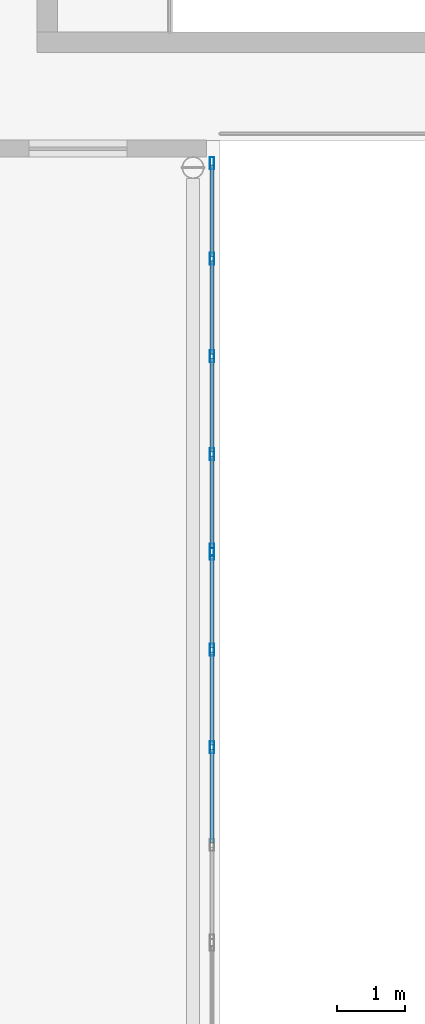
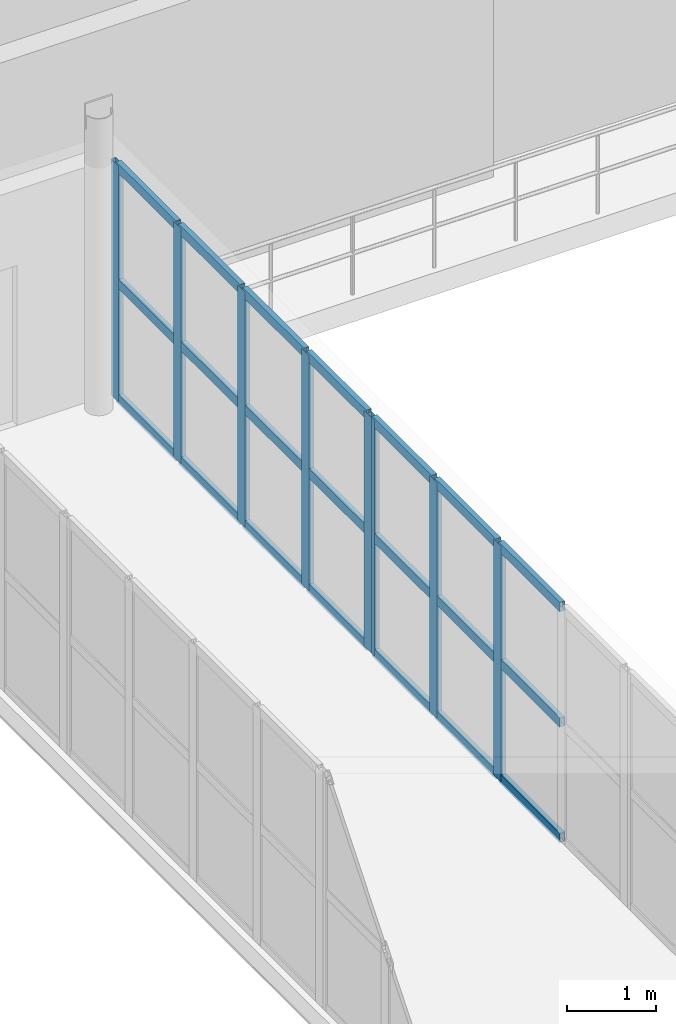
# One storey, part 34 of 52: 29 members, 2 elements without a shape of their own.
"""IFC4 building model written with IfcOpenShell, lengths in metres."""

from ifc_helpers import new_model, si_unit, direction, frame, origin, origin_2d, place, context, subcontext, project, spatial, hollow_rectangle, extrude, material, layer, layer_set, material_profile, profile_set, type_object, element, aggregate, save


model = new_model("IFC4")

# Units and contexts
model_context = context("Model", 3, precision=1e-05, world=origin(), true_north=direction((0.0, 1.0)))
body_context = subcontext(model_context, "Body", "Model", "MODEL_VIEW")
ifc_project = project(units=[si_unit("LENGTHUNIT", "METRE"), si_unit("AREAUNIT", "SQUARE_METRE"), si_unit("VOLUMEUNIT", "CUBIC_METRE"), si_unit("PLANEANGLEUNIT", "RADIAN"), si_unit("MASSUNIT", "GRAM", prefix="KILO")], contexts=[model_context])

# Site, building, storey
site_placement = place(None, origin())
site = spatial("IfcSite", under=ifc_project, at=site_placement, CompositionType="ELEMENT")
building_placement = place(site_placement, origin())
building = spatial("IfcBuilding", under=site, at=building_placement, Name="Valcora Specialist Clinic", CompositionType="ELEMENT")
storey_placement = place(building_placement, frame((0.0, 0.0, 17.679931640625)))
storey = spatial("IfcBuildingStorey", under=building, at=storey_placement, Name="L04", CompositionType="ELEMENT", Elevation=17.679931640625)

# Curtain wall, members
ifc_material = material(Name="Anodized Bronze Aluminium 6063-T6", Category="aluminium")
ifc_layer = layer(ifc_material, 0.175048828125)
ifc_layer_set = layer_set([ifc_layer], Name="Anodized Bronze Aluminium 6063-T6")
curtain_wall_type = type_object("IfcCurtainWallType", Name="TY-CW-BRG14", PredefinedType="NOTDEFINED", material=ifc_layer_set)
curtain_wall_1_placement = place(storey_placement, origin())
curtain_wall_1 = element("IfcCurtainWall", 1, at=curtain_wall_1_placement, inside=storey, type_object=curtain_wall_type, Name="Curtain wall CW-L04-283", PredefinedType="NOTDEFINED")
ifc_material_profile_1 = material_profile(ifc_material, hollow_rectangle(XDim=0.06494140625, YDim=0.175048828125, WallThickness=0.00390625, at=origin_2d()), Name="AL-MUL-65X175")
ifc_profile_set_1 = profile_set([ifc_material_profile_1], Name="Anodized Bronze Aluminium 6063-T6")
member_type_1 = type_object("IfcMemberType", Name="TY-CWM-65X175", PredefinedType="MULLION", material=ifc_profile_set_1)
member_1_placement = place(storey_placement, frame((65.280029296875, 65.050048828125, 0.0), z_axis=(0.0, 0.0, 1.0), x_axis=(-1.0, 0.0, 0.0)))
member_1 = element("IfcMember", 2, at=member_1_placement, type_object=member_type_1, Name="CW-BRG-14 mullion 3", PredefinedType="MULLION", context=body_context, shape_type="SweptSolid", body=[
    extrude(hollow_rectangle(XDim=0.06494140625, YDim=0.175048828125, WallThickness=0.00390625, at=origin_2d()), origin(), (0.0, 0.0, 1.0), 3.239990234375),
])
member_2_placement = place(storey_placement, frame((65.280029296875, 66.49169921875, 0.0), z_axis=(0.0, 0.0, 1.0), x_axis=(-1.0, 0.0, 0.0)))
member_2 = element("IfcMember", 3, at=member_2_placement, type_object=member_type_1, Name="CW-BRG-14 mullion 4", PredefinedType="MULLION", context=body_context, shape_type="SweptSolid", body=[
    extrude(hollow_rectangle(XDim=0.06494140625, YDim=0.175048828125, WallThickness=0.00390625, at=origin_2d()), origin(), (0.0, 0.0, 1.0), 3.239990234375),
])
member_3_placement = place(storey_placement, frame((65.280029296875, 67.90087890625, 0.0), z_axis=(0.0, 0.0, 1.0), x_axis=(-1.0, 0.0, 0.0)))
member_3 = element("IfcMember", 4, at=member_3_placement, type_object=member_type_1, Name="CW-BRG-14 mullion 5", PredefinedType="MULLION", context=body_context, shape_type="SweptSolid", body=[
    extrude(hollow_rectangle(XDim=0.06494140625, YDim=0.175048828125, WallThickness=0.00390625, at=origin_2d()), origin(), (0.0, 0.0, 1.0), 3.239990234375),
])

curtain_wall_2_placement = place(storey_placement, origin())
curtain_wall_2 = element("IfcCurtainWall", 5, at=curtain_wall_2_placement, inside=storey, type_object=curtain_wall_type, Name="Curtain wall CW-L04-284", PredefinedType="NOTDEFINED")
member_4_placement = place(storey_placement, frame((65.280029296875, 67.9658203125, 0.0), z_axis=(0.0, 0.0, 1.0), x_axis=(-1.0, 0.0, 0.0)))
member_4 = element("IfcMember", 6, at=member_4_placement, type_object=member_type_1, Name="CW-BRG-14 mullion 1", PredefinedType="MULLION", context=body_context, shape_type="SweptSolid", body=[
    extrude(hollow_rectangle(XDim=0.06494140625, YDim=0.175048828125, WallThickness=0.00390625, at=origin_2d()), origin(), (0.0, 0.0, 1.0), 3.239990234375),
])
member_5_placement = place(storey_placement, frame((65.280029296875, 69.375, 0.0), z_axis=(0.0, 0.0, 1.0), x_axis=(-1.0, 0.0, 0.0)))
member_5 = element("IfcMember", 7, at=member_5_placement, type_object=member_type_1, Name="CW-BRG-14 mullion 2", PredefinedType="MULLION", context=body_context, shape_type="SweptSolid", body=[
    extrude(hollow_rectangle(XDim=0.06494140625, YDim=0.175048828125, WallThickness=0.00390625, at=origin_2d()), origin(), (0.0, 0.0, 1.0), 3.239990234375),
])
member_6_placement = place(storey_placement, frame((65.280029296875, 70.816650390625, 0.0), z_axis=(0.0, 0.0, 1.0), x_axis=(-1.0, 0.0, 0.0)))
member_6 = element("IfcMember", 8, at=member_6_placement, type_object=member_type_1, Name="CW-BRG-14 mullion 3", PredefinedType="MULLION", context=body_context, shape_type="SweptSolid", body=[
    extrude(hollow_rectangle(XDim=0.06494140625, YDim=0.175048828125, WallThickness=0.00390625, at=origin_2d()), origin(), (0.0, 0.0, 1.0), 3.239990234375),
])
member_7_placement = place(storey_placement, frame((65.280029296875, 72.25830078125, 0.0), z_axis=(0.0, 0.0, 1.0), x_axis=(-1.0, 0.0, 0.0)))
member_7 = element("IfcMember", 9, at=member_7_placement, type_object=member_type_1, Name="CW-BRG-14 mullion 4", PredefinedType="MULLION", context=body_context, shape_type="SweptSolid", body=[
    extrude(hollow_rectangle(XDim=0.06494140625, YDim=0.175048828125, WallThickness=0.00390625, at=origin_2d()), origin(), (0.0, 0.0, 1.0), 3.239990234375),
])
member_8_placement = place(storey_placement, frame((65.280029296875, 73.66748046875, 0.0), z_axis=(0.0, 0.0, 1.0), x_axis=(-1.0, 0.0, 0.0)))
member_8 = element("IfcMember", 10, at=member_8_placement, type_object=member_type_1, Name="CW-BRG-14 mullion 5", PredefinedType="MULLION", context=body_context, shape_type="SweptSolid", body=[
    extrude(hollow_rectangle(XDim=0.06494140625, YDim=0.175048828125, WallThickness=0.00390625, at=origin_2d()), origin(), (0.0, 0.0, 1.0), 3.239990234375),
])

# Member
ifc_material_profile_2 = material_profile(ifc_material, hollow_rectangle(XDim=0.06494140625, YDim=0.1298828125, WallThickness=0.00390625, at=origin_2d()), Name="AL-TRN-65X130")
ifc_profile_set_2 = profile_set([ifc_material_profile_2], Name="Anodized Bronze Aluminium 6063-T6")
member_type_2 = type_object("IfcMemberType", Name="TY-CWT-65X130", PredefinedType="USERDEFINED", material=ifc_profile_set_2)
member_9_placement = place(storey_placement, frame((65.280029296875, 63.640869140625, 0.032470703125), z_axis=(0.0, 1.0, 0.0), x_axis=(-1.0, 0.0, 0.0)))
member_9 = element("IfcMember", 11, at=member_9_placement, type_object=member_type_2, Name="CW-BRG-14 transom 2.1", ObjectType="TRANSOM", PredefinedType="USERDEFINED", context=body_context, shape_type="SweptSolid", body=[
    extrude(hollow_rectangle(XDim=0.06494140625, YDim=0.1298828125, WallThickness=0.00390625, at=origin_2d()), origin(), (0.0, 0.0, 1.0), 1.376708984375),
])

member_10_placement = place(storey_placement, frame((65.280029296875, 63.640869140625, 1.6201171875), z_axis=(0.0, 1.0, 0.0), x_axis=(-1.0, 0.0, 0.0)))
member_10 = element("IfcMember", 12, at=member_10_placement, type_object=member_type_2, Name="CW-BRG-14 transom 2.2", ObjectType="TRANSOM", PredefinedType="USERDEFINED", context=body_context, shape_type="SweptSolid", body=[
    extrude(hollow_rectangle(XDim=0.06494140625, YDim=0.1298828125, WallThickness=0.00390625, at=origin_2d()), origin(), (0.0, 0.0, 1.0), 1.376708984375),
])

member_11_placement = place(storey_placement, frame((65.280029296875, 63.640869140625, 3.20751953125), z_axis=(0.0, 1.0, 0.0), x_axis=(-1.0, 0.0, 0.0)))
member_11 = element("IfcMember", 13, at=member_11_placement, type_object=member_type_2, Name="CW-BRG-14 transom 2.3", ObjectType="TRANSOM", PredefinedType="USERDEFINED", context=body_context, shape_type="SweptSolid", body=[
    extrude(hollow_rectangle(XDim=0.06494140625, YDim=0.1298828125, WallThickness=0.00390625, at=origin_2d()), origin(), (0.0, 0.0, 1.0), 1.376708984375),
])

member_12_placement = place(storey_placement, frame((65.280029296875, 65.08251953125, 0.032470703125), z_axis=(0.0, 1.0, 0.0), x_axis=(-1.0, 0.0, 0.0)))
member_12 = element("IfcMember", 14, at=member_12_placement, type_object=member_type_2, Name="CW-BRG-14 transom 3.1", ObjectType="TRANSOM", PredefinedType="USERDEFINED", context=body_context, shape_type="SweptSolid", body=[
    extrude(hollow_rectangle(XDim=0.06494140625, YDim=0.1298828125, WallThickness=0.00390625, at=origin_2d()), origin(), (0.0, 0.0, 1.0), 1.376708984375),
])

member_13_placement = place(storey_placement, frame((65.280029296875, 65.08251953125, 1.6201171875), z_axis=(0.0, 1.0, 0.0), x_axis=(-1.0, 0.0, 0.0)))
member_13 = element("IfcMember", 15, at=member_13_placement, type_object=member_type_2, Name="CW-BRG-14 transom 3.2", ObjectType="TRANSOM", PredefinedType="USERDEFINED", context=body_context, shape_type="SweptSolid", body=[
    extrude(hollow_rectangle(XDim=0.06494140625, YDim=0.1298828125, WallThickness=0.00390625, at=origin_2d()), origin(), (0.0, 0.0, 1.0), 1.376708984375),
])

member_14_placement = place(storey_placement, frame((65.280029296875, 65.08251953125, 3.20751953125), z_axis=(0.0, 1.0, 0.0), x_axis=(-1.0, 0.0, 0.0)))
member_14 = element("IfcMember", 16, at=member_14_placement, type_object=member_type_2, Name="CW-BRG-14 transom 3.3", ObjectType="TRANSOM", PredefinedType="USERDEFINED", context=body_context, shape_type="SweptSolid", body=[
    extrude(hollow_rectangle(XDim=0.06494140625, YDim=0.1298828125, WallThickness=0.00390625, at=origin_2d()), origin(), (0.0, 0.0, 1.0), 1.376708984375),
])

member_15_placement = place(storey_placement, frame((65.280029296875, 66.524169921875, 0.032470703125), z_axis=(0.0, 1.0, 0.0), x_axis=(-1.0, 0.0, 0.0)))
member_15 = element("IfcMember", 17, at=member_15_placement, type_object=member_type_2, Name="CW-BRG-14 transom 4.1", ObjectType="TRANSOM", PredefinedType="USERDEFINED", context=body_context, shape_type="SweptSolid", body=[
    extrude(hollow_rectangle(XDim=0.06494140625, YDim=0.1298828125, WallThickness=0.00390625, at=origin_2d()), origin(), (0.0, 0.0, 1.0), 1.34423828125),
])

member_16_placement = place(storey_placement, frame((65.280029296875, 66.524169921875, 1.6201171875), z_axis=(0.0, 1.0, 0.0), x_axis=(-1.0, 0.0, 0.0)))
member_16 = element("IfcMember", 18, at=member_16_placement, type_object=member_type_2, Name="CW-BRG-14 transom 4.2", ObjectType="TRANSOM", PredefinedType="USERDEFINED", context=body_context, shape_type="SweptSolid", body=[
    extrude(hollow_rectangle(XDim=0.06494140625, YDim=0.1298828125, WallThickness=0.00390625, at=origin_2d()), origin(), (0.0, 0.0, 1.0), 1.34423828125),
])

member_17_placement = place(storey_placement, frame((65.280029296875, 66.524169921875, 3.20751953125), z_axis=(0.0, 1.0, 0.0), x_axis=(-1.0, 0.0, 0.0)))
member_17 = element("IfcMember", 19, at=member_17_placement, type_object=member_type_2, Name="CW-BRG-14 transom 4.3", ObjectType="TRANSOM", PredefinedType="USERDEFINED", context=body_context, shape_type="SweptSolid", body=[
    extrude(hollow_rectangle(XDim=0.06494140625, YDim=0.1298828125, WallThickness=0.00390625, at=origin_2d()), origin(), (0.0, 0.0, 1.0), 1.34423828125),
])

aggregate(curtain_wall_1, [member_1, member_2, member_3, member_9, member_10, member_11, member_12, member_13, member_14, member_15, member_16, member_17])

member_18_placement = place(storey_placement, frame((65.280029296875, 67.998291015625, 0.032470703125), z_axis=(0.0, 1.0, 0.0), x_axis=(-1.0, 0.0, 0.0)))
member_18 = element("IfcMember", 20, at=member_18_placement, type_object=member_type_2, Name="CW-BRG-14 transom 1.1", ObjectType="TRANSOM", PredefinedType="USERDEFINED", context=body_context, shape_type="SweptSolid", body=[
    extrude(hollow_rectangle(XDim=0.06494140625, YDim=0.1298828125, WallThickness=0.00390625, at=origin_2d()), origin(), (0.0, 0.0, 1.0), 1.34423828125),
])

member_19_placement = place(storey_placement, frame((65.280029296875, 67.998291015625, 1.6201171875), z_axis=(0.0, 1.0, 0.0), x_axis=(-1.0, 0.0, 0.0)))
member_19 = element("IfcMember", 21, at=member_19_placement, type_object=member_type_2, Name="CW-BRG-14 transom 1.2", ObjectType="TRANSOM", PredefinedType="USERDEFINED", context=body_context, shape_type="SweptSolid", body=[
    extrude(hollow_rectangle(XDim=0.06494140625, YDim=0.1298828125, WallThickness=0.00390625, at=origin_2d()), origin(), (0.0, 0.0, 1.0), 1.34423828125),
])

member_20_placement = place(storey_placement, frame((65.280029296875, 67.998291015625, 3.20751953125), z_axis=(0.0, 1.0, 0.0), x_axis=(-1.0, 0.0, 0.0)))
member_20 = element("IfcMember", 22, at=member_20_placement, type_object=member_type_2, Name="CW-BRG-14 transom 1.3", ObjectType="TRANSOM", PredefinedType="USERDEFINED", context=body_context, shape_type="SweptSolid", body=[
    extrude(hollow_rectangle(XDim=0.06494140625, YDim=0.1298828125, WallThickness=0.00390625, at=origin_2d()), origin(), (0.0, 0.0, 1.0), 1.34423828125),
])

member_21_placement = place(storey_placement, frame((65.280029296875, 69.407470703125, 0.032470703125), z_axis=(0.0, 1.0, 0.0), x_axis=(-1.0, 0.0, 0.0)))
member_21 = element("IfcMember", 23, at=member_21_placement, type_object=member_type_2, Name="CW-BRG-14 transom 2.1", ObjectType="TRANSOM", PredefinedType="USERDEFINED", context=body_context, shape_type="SweptSolid", body=[
    extrude(hollow_rectangle(XDim=0.06494140625, YDim=0.1298828125, WallThickness=0.00390625, at=origin_2d()), origin(), (0.0, 0.0, 1.0), 1.376708984375),
])

member_22_placement = place(storey_placement, frame((65.280029296875, 69.407470703125, 1.6201171875), z_axis=(0.0, 1.0, 0.0), x_axis=(-1.0, 0.0, 0.0)))
member_22 = element("IfcMember", 24, at=member_22_placement, type_object=member_type_2, Name="CW-BRG-14 transom 2.2", ObjectType="TRANSOM", PredefinedType="USERDEFINED", context=body_context, shape_type="SweptSolid", body=[
    extrude(hollow_rectangle(XDim=0.06494140625, YDim=0.1298828125, WallThickness=0.00390625, at=origin_2d()), origin(), (0.0, 0.0, 1.0), 1.376708984375),
])

member_23_placement = place(storey_placement, frame((65.280029296875, 69.407470703125, 3.20751953125), z_axis=(0.0, 1.0, 0.0), x_axis=(-1.0, 0.0, 0.0)))
member_23 = element("IfcMember", 25, at=member_23_placement, type_object=member_type_2, Name="CW-BRG-14 transom 2.3", ObjectType="TRANSOM", PredefinedType="USERDEFINED", context=body_context, shape_type="SweptSolid", body=[
    extrude(hollow_rectangle(XDim=0.06494140625, YDim=0.1298828125, WallThickness=0.00390625, at=origin_2d()), origin(), (0.0, 0.0, 1.0), 1.376708984375),
])

member_24_placement = place(storey_placement, frame((65.280029296875, 70.84912109375, 0.032470703125), z_axis=(0.0, 1.0, 0.0), x_axis=(-1.0, 0.0, 0.0)))
member_24 = element("IfcMember", 26, at=member_24_placement, type_object=member_type_2, Name="CW-BRG-14 transom 3.1", ObjectType="TRANSOM", PredefinedType="USERDEFINED", context=body_context, shape_type="SweptSolid", body=[
    extrude(hollow_rectangle(XDim=0.06494140625, YDim=0.1298828125, WallThickness=0.00390625, at=origin_2d()), origin(), (0.0, 0.0, 1.0), 1.376708984375),
])

member_25_placement = place(storey_placement, frame((65.280029296875, 70.84912109375, 1.6201171875), z_axis=(0.0, 1.0, 0.0), x_axis=(-1.0, 0.0, 0.0)))
member_25 = element("IfcMember", 27, at=member_25_placement, type_object=member_type_2, Name="CW-BRG-14 transom 3.2", ObjectType="TRANSOM", PredefinedType="USERDEFINED", context=body_context, shape_type="SweptSolid", body=[
    extrude(hollow_rectangle(XDim=0.06494140625, YDim=0.1298828125, WallThickness=0.00390625, at=origin_2d()), origin(), (0.0, 0.0, 1.0), 1.376708984375),
])

member_26_placement = place(storey_placement, frame((65.280029296875, 70.84912109375, 3.20751953125), z_axis=(0.0, 1.0, 0.0), x_axis=(-1.0, 0.0, 0.0)))
member_26 = element("IfcMember", 28, at=member_26_placement, type_object=member_type_2, Name="CW-BRG-14 transom 3.3", ObjectType="TRANSOM", PredefinedType="USERDEFINED", context=body_context, shape_type="SweptSolid", body=[
    extrude(hollow_rectangle(XDim=0.06494140625, YDim=0.1298828125, WallThickness=0.00390625, at=origin_2d()), origin(), (0.0, 0.0, 1.0), 1.376708984375),
])

member_27_placement = place(storey_placement, frame((65.280029296875, 72.290771484375, 0.032470703125), z_axis=(0.0, 1.0, 0.0), x_axis=(-1.0, 0.0, 0.0)))
member_27 = element("IfcMember", 29, at=member_27_placement, type_object=member_type_2, Name="CW-BRG-14 transom 4.1", ObjectType="TRANSOM", PredefinedType="USERDEFINED", context=body_context, shape_type="SweptSolid", body=[
    extrude(hollow_rectangle(XDim=0.06494140625, YDim=0.1298828125, WallThickness=0.00390625, at=origin_2d()), origin(), (0.0, 0.0, 1.0), 1.34423828125),
])

member_28_placement = place(storey_placement, frame((65.280029296875, 72.290771484375, 1.6201171875), z_axis=(0.0, 1.0, 0.0), x_axis=(-1.0, 0.0, 0.0)))
member_28 = element("IfcMember", 30, at=member_28_placement, type_object=member_type_2, Name="CW-BRG-14 transom 4.2", ObjectType="TRANSOM", PredefinedType="USERDEFINED", context=body_context, shape_type="SweptSolid", body=[
    extrude(hollow_rectangle(XDim=0.06494140625, YDim=0.1298828125, WallThickness=0.00390625, at=origin_2d()), origin(), (0.0, 0.0, 1.0), 1.34423828125),
])

member_29_placement = place(storey_placement, frame((65.280029296875, 72.290771484375, 3.20751953125), z_axis=(0.0, 1.0, 0.0), x_axis=(-1.0, 0.0, 0.0)))
member_29 = element("IfcMember", 31, at=member_29_placement, type_object=member_type_2, Name="CW-BRG-14 transom 4.3", ObjectType="TRANSOM", PredefinedType="USERDEFINED", context=body_context, shape_type="SweptSolid", body=[
    extrude(hollow_rectangle(XDim=0.06494140625, YDim=0.1298828125, WallThickness=0.00390625, at=origin_2d()), origin(), (0.0, 0.0, 1.0), 1.34423828125),
])

aggregate(curtain_wall_2, [member_4, member_5, member_6, member_7, member_8, member_18, member_19, member_20, member_21, member_22, member_23, member_24, member_25, member_26, member_27, member_28, member_29])

save(model, "model.ifc")
